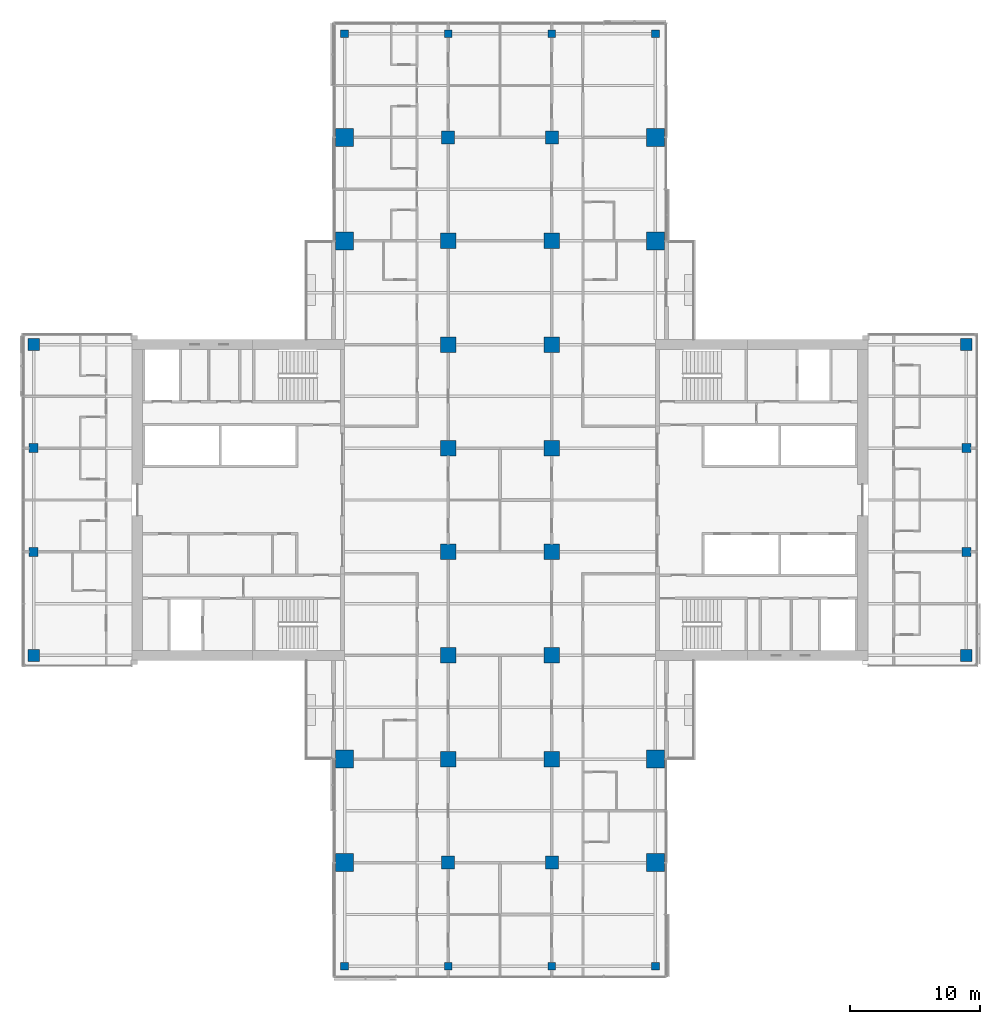
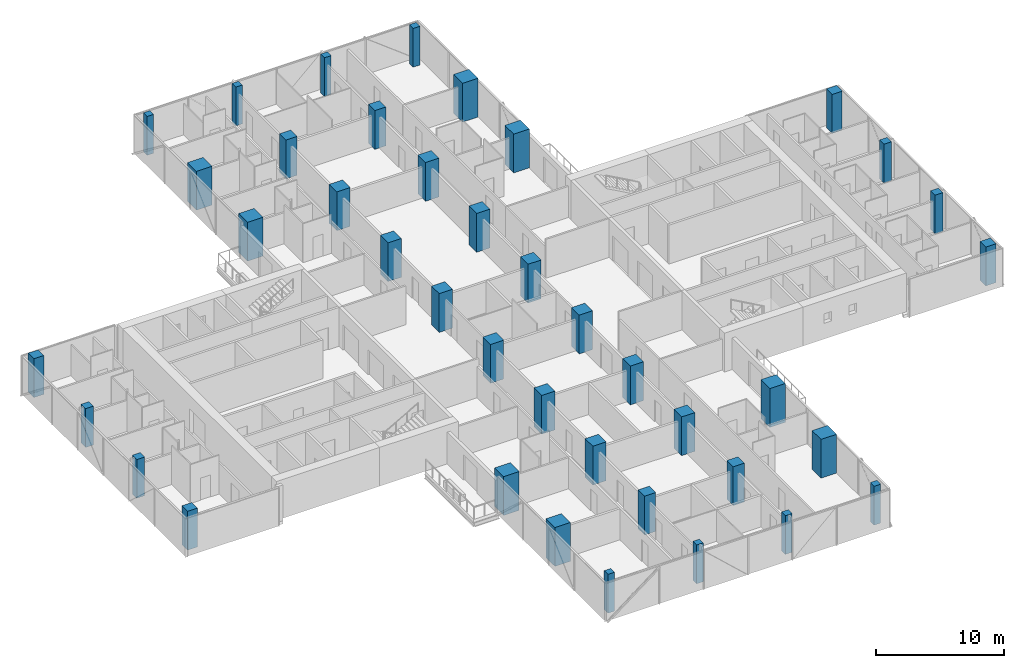
# One storey, part 1 of 27: 40 columns.
"""IFC4 building model written with IfcOpenShell, lengths in metres."""

import ifcopenshell
import ifcopenshell.guid

model = None  # the IFC model being written
_history = None  # IfcOwnerHistory: only IFC2X3 demands one
_inside = {}  # id of a spatial element -> (the spatial element, [elements in it])
_under = {}  # id of a project, library or spatial element -> (it, [spatial elements below it])
_declared = {}  # id of a project -> (the project, [libraries it declares])
_typed = {}  # id of a type object -> (the type object, [elements of that type])
_made_of = {}  # id of a material, layer set ... -> (it, [elements and type objects made of it])


def new_model(schema):
    """Start an empty IFC model of exactly this schema.

    Asked for "IFC4X3", IfcOpenShell would pick the latest addendum, in which some entities
    have other attributes; the version numbers below select the first issue.
    IFC2X3 requires an IfcOwnerHistory on every rooted entity: one is made here for all.
    """
    global model, _history
    if schema == "IFC4X3":
        model = ifcopenshell.file(schema_version=(4, 3, 0, 0))
    else:
        model = ifcopenshell.file(schema=schema)
    _inside.clear()
    _under.clear()
    _declared.clear()
    _typed.clear()
    _made_of.clear()
    _history = None
    if model.schema == "IFC2X3":
        org = make("IfcOrganization", Name="unknown")
        user = make(
            "IfcPersonAndOrganization",
            ThePerson=make("IfcPerson", FamilyName="unknown"),
            TheOrganization=org,
        )
        app = make(
            "IfcApplication",
            ApplicationDeveloper=org,
            Version="unknown",
            ApplicationFullName="unknown",
            ApplicationIdentifier="unknown",
        )
        _history = make(
            "IfcOwnerHistory",
            OwningUser=user,
            OwningApplication=app,
            ChangeAction="ADDED",
            CreationDate=0,
        )
    return model


def make(cls, **values):
    """One entity of the class cls with the attributes given. An attribute that is None is left unset."""
    return model.create_entity(
        cls, **{name: value for name, value in values.items() if value is not None}
    )


def rooted(cls, **values):
    """An entity with a GlobalId (a new one), such as an element, a storey or a relation."""
    return make(cls, GlobalId=ifcopenshell.guid.new(), OwnerHistory=_history, **values)


def si_unit(unit_type, name, prefix=None):
    """IfcSIUnit, for example si_unit("LENGTHUNIT", "METRE", prefix="MILLI")."""
    return make("IfcSIUnit", UnitType=unit_type, Prefix=prefix, Name=name)


def assignment(units):
    """IfcUnitAssignment: the units of a project."""
    return None if units is None else make("IfcUnitAssignment", Units=units)


def point(xyz):
    """IfcCartesianPoint."""
    return None if xyz is None else make("IfcCartesianPoint", Coordinates=xyz)


def direction(xyz):
    """IfcDirection."""
    return None if xyz is None else make("IfcDirection", DirectionRatios=xyz)


def frame(location, z_axis=None, x_axis=None):
    """IfcAxis2Placement3D, a coordinate frame: its origin and axes. An axis left out is left unset."""
    return make(
        "IfcAxis2Placement3D",
        Location=point(location),
        Axis=direction(z_axis),
        RefDirection=direction(x_axis),
    )


def frame_2d(location, x_axis=None):
    """IfcAxis2Placement2D, a coordinate frame in the plane: its origin and x axis."""
    return make(
        "IfcAxis2Placement2D", Location=point(location), RefDirection=direction(x_axis)
    )


def origin():
    """The frame at (0, 0, 0) with its axes left unset."""
    return frame((0.0, 0.0, 0.0))


def origin_2d():
    """The frame at (0, 0) in the plane with its x axis left unset."""
    return frame_2d((0.0, 0.0))


def place(relative_to, where):
    """IfcLocalPlacement: puts the frame where relative to a parent placement (None: the world)."""
    return make(
        "IfcLocalPlacement", PlacementRelTo=relative_to, RelativePlacement=where
    )


def context(
    kind, dimensions, precision=None, world=None, true_north=None, identifier=None
):
    """IfcGeometricRepresentationContext, for example the 3D "Model" context."""
    return make(
        "IfcGeometricRepresentationContext",
        ContextIdentifier=identifier,
        ContextType=kind,
        CoordinateSpaceDimension=dimensions,
        Precision=precision,
        WorldCoordinateSystem=world,
        TrueNorth=true_north,
    )


def subcontext(parent, identifier, kind, view, scale=None):
    """IfcGeometricRepresentationSubContext, for example "Body" below "Model"."""
    return make(
        "IfcGeometricRepresentationSubContext",
        ContextIdentifier=identifier,
        ContextType=kind,
        ParentContext=parent,
        TargetScale=scale,
        TargetView=view,
    )


def project(units=None, contexts=None):
    """IfcProject with its units and contexts."""
    return rooted(
        "IfcProject",
        Name="project",
        RepresentationContexts=contexts,
        UnitsInContext=assignment(units),
    )


def spatial(cls, under=None, at=None, **own):
    """A site, building, storey or space (cls), placed at a placement, below another one or the project."""
    s = rooted(cls, ObjectPlacement=at, **own)
    if under is not None:
        _under.setdefault(under.id(), (under, []))[1].append(s)
    return s


def profile(cls, at=None, kind="AREA", **sizes):
    """A parametric profile (cls). Its sizes go by their IFC names, for example OverallWidth=200.0."""
    return make(cls, ProfileType=kind, Position=at, **sizes)


def rectangle(**sizes):
    """IfcRectangleProfileDef."""
    return profile("IfcRectangleProfileDef", **sizes)


def extrude(swept, where, along, depth):
    """IfcExtrudedAreaSolid: the profile swept, set in the frame where, extruded along a direction by depth."""
    return make(
        "IfcExtrudedAreaSolid",
        SweptArea=swept,
        Position=where,
        ExtrudedDirection=direction(along),
        Depth=depth,
    )


def shape(context_of_items, identifier, shape_type, items):
    """IfcShapeRepresentation: the items that make up one representation, for example the "Body"."""
    return make(
        "IfcShapeRepresentation",
        ContextOfItems=context_of_items,
        RepresentationIdentifier=identifier,
        RepresentationType=shape_type,
        Items=items,
    )


def material(Name=None, Category=None):
    """IfcMaterial."""
    return make("IfcMaterial", Name=Name, Category=Category)


def material_profile(
    of_material, cross_section, Name=None, Category=None, Priority=None
):
    """IfcMaterialProfile: a cross section and its material."""
    return make(
        "IfcMaterialProfile",
        Name=Name,
        Material=of_material,
        Profile=cross_section,
        Priority=Priority,
        Category=Category,
    )


def profile_set(profiles, Name=None, composite=None):
    """IfcMaterialProfileSet."""
    return make(
        "IfcMaterialProfileSet",
        Name=Name,
        MaterialProfiles=profiles,
        CompositeProfile=composite,
    )


def made_of(thing, what):
    """Note that an element or type object is made of a material, layer set ...; save() writes the relation."""
    if what is not None:
        _made_of.setdefault(what.id(), (what, []))[1].append(thing)
    return thing


def type_object(cls, material=None, **own):
    """A type object (cls), such as IfcWallType, which elements share."""
    return made_of(rooted(cls, **own), material)


def element(
    cls,
    number,
    at=None,
    inside=None,
    cuts=None,
    type_object=None,
    material=None,
    context=None,
    identifier="Body",
    shape_type=None,
    held_by="IfcProductDefinitionShape",
    body=None,
    shapes=None,
    **own,
):
    """One element of the class cls, such as IfcWall. Its Tag is "e" and its number.

    at: its placement. inside: the storey or other place that contains it. cuts: it is an
    opening in that element (IfcRelVoidsElement). A single representation is given by context,
    identifier, shape_type and body (its items); several are given by shapes. held_by: the class
    of the entity that holds the representations. save() writes the other relations.
    """
    e = rooted(cls, Tag="e%d" % number, ObjectPlacement=at, **own)
    if body is not None:
        shapes = [shape(context, identifier, shape_type, body)]
    if shapes is not None:
        e.Representation = make(held_by, Representations=shapes)
    if inside is not None:
        _inside.setdefault(inside.id(), (inside, []))[1].append(e)
    if cuts is not None:
        rooted(
            "IfcRelVoidsElement", RelatingBuildingElement=cuts, RelatedOpeningElement=e
        )
    if type_object is not None:
        _typed.setdefault(type_object.id(), (type_object, []))[1].append(e)
    return made_of(e, material)


def aggregate(whole, parts):
    """IfcRelAggregates: a whole, such as a stair, and the parts it consists of."""
    return rooted("IfcRelAggregates", RelatingObject=whole, RelatedObjects=parts)


def save(model, path):
    """Write the relations noted so far, then the file.

    IfcRelAggregates (storeys below a building ...), IfcRelContainedInSpatialStructure (elements
    in a storey), IfcRelDefinesByType, IfcRelAssociatesMaterial and IfcRelDeclares: one each for
    every whole, place, type object, material and project.
    """
    for whole, parts in _under.values():
        aggregate(whole, parts)
    for where, things in _inside.values():
        rooted(
            "IfcRelContainedInSpatialStructure",
            RelatedElements=things,
            RelatingStructure=where,
        )
    for kind, things in _typed.values():
        rooted("IfcRelDefinesByType", RelatedObjects=things, RelatingType=kind)
    for what, things in _made_of.values():
        rooted("IfcRelAssociatesMaterial", RelatedObjects=things, RelatingMaterial=what)
    for by, libraries in _declared.values():
        rooted("IfcRelDeclares", RelatingContext=by, RelatedDefinitions=libraries)
    model.write(path)


model = new_model("IFC4")

# Units and contexts
model_context = context("Model", 3, precision=1e-05, world=origin(), true_north=direction((0.0, 1.0)))
body_context = subcontext(model_context, "Body", "Model", "MODEL_VIEW")
ifc_project = project(units=[si_unit("LENGTHUNIT", "METRE"), si_unit("AREAUNIT", "SQUARE_METRE"), si_unit("VOLUMEUNIT", "CUBIC_METRE"), si_unit("PLANEANGLEUNIT", "RADIAN"), si_unit("MASSUNIT", "GRAM", prefix="KILO")], contexts=[model_context])

# Site, building, storey
site_placement = place(None, origin())
site = spatial("IfcSite", under=ifc_project, at=site_placement, CompositionType="ELEMENT")
building_placement = place(site_placement, origin())
building = spatial("IfcBuilding", under=site, at=building_placement, Name="Crosswind Convention Tower", CompositionType="ELEMENT")
storey_placement = place(building_placement, frame((0.0, 0.0, 94.199951171875)))
storey = spatial("IfcBuildingStorey", under=building, at=storey_placement, Name="L18", CompositionType="ELEMENT", Elevation=94.199951171875)

# Columns
ifc_material_1 = material(Name="Concrete C70/85", Category="concrete")
ifc_material_profile_1 = material_profile(ifc_material_1, rectangle(XDim=1.0, YDim=1.0, at=origin_2d()), Name="RC 1000X1000")
ifc_profile_set_1 = profile_set([ifc_material_profile_1], Name="Concrete C70/85")
column_type_1 = type_object("IfcColumnType", Name="Column RC 1000X1000", PredefinedType="COLUMN", material=ifc_profile_set_1)
for number, where, z_axis, x_axis, name in (
    (1, (121.0, 72.0, 0.0), (0.0, 0.0, 1.0), (1.0, 0.0, 0.0), "C12 L18 6/C"),
    (2, (121.0, 128.0, 0.0), (0.0, 0.0, 1.0), (1.0, 0.0, 0.0), "C12 L18 6/J"),
    (3, (129.0, 72.0, 0.0), (0.0, 0.0, 1.0), (1.0, 0.0, 0.0), "C12 L18 7/C"),
    (4, (129.0, 128.0, 0.0), (0.0, 0.0, 1.0), (1.0, 0.0, 0.0), "C12 L18 7/J"),
):
    element("IfcColumn", number, at=place(storey_placement, frame(where, z_axis=z_axis, x_axis=x_axis)), inside=storey, type_object=column_type_1, Name=name, PredefinedType="COLUMN", context=body_context, shape_type="SweptSolid", body=[
        extrude(rectangle(XDim=1.0, YDim=1.0, at=origin_2d()), origin(), (0.0, 0.0, 1.0), 3.699951171875),
    ])
ifc_material_profile_2 = material_profile(ifc_material_1, rectangle(XDim=1.199951171875, YDim=1.199951171875, at=origin_2d()), Name="RC 1200X1200")
ifc_profile_set_2 = profile_set([ifc_material_profile_2], Name="Concrete C70/85")
column_type_2 = type_object("IfcColumnType", Name="Column RC 1200X1200", PredefinedType="COLUMN", material=ifc_profile_set_2)
for number, where, z_axis, x_axis, name in (
    (5, (121.0, 80.0, 0.0), (0.0, 0.0, 1.0), (1.0, 0.0, 0.0), "C11 L18 6/D"),
    (6, (121.0, 88.0, 0.0), (0.0, 0.0, 1.0), (1.0, 0.0, 0.0), "C11 L18 6/E"),
    (7, (121.0, 96.0, 0.0), (0.0, 0.0, 1.0), (1.0, 0.0, 0.0), "C11 L18 6/F"),
    (8, (121.0, 104.0, 0.0), (0.0, 0.0, 1.0), (1.0, 0.0, 0.0), "C11 L18 6/G"),
    (9, (121.0, 112.0, 0.0), (0.0, 0.0, 1.0), (1.0, 0.0, 0.0), "C11 L18 6/H"),
    (10, (121.0, 120.0, 0.0), (0.0, 0.0, 1.0), (1.0, 0.0, 0.0), "C11 L18 6/I"),
    (11, (129.0, 80.0, 0.0), (0.0, 0.0, 1.0), (1.0, 0.0, 0.0), "C11 L18 7/D"),
    (12, (129.0, 88.0, 0.0), (0.0, 0.0, 1.0), (1.0, 0.0, 0.0), "C11 L18 7/E"),
    (13, (129.0, 96.0, 0.0), (0.0, 0.0, 1.0), (1.0, 0.0, 0.0), "C11 L18 7/F"),
    (14, (129.0, 104.0, 0.0), (0.0, 0.0, 1.0), (1.0, 0.0, 0.0), "C11 L18 7/G"),
    (15, (129.0, 112.0, 0.0), (0.0, 0.0, 1.0), (1.0, 0.0, 0.0), "C11 L18 7/H"),
    (16, (129.0, 120.0, 0.0), (0.0, 0.0, 1.0), (1.0, 0.0, 0.0), "C11 L18 7/I"),
):
    element("IfcColumn", number, at=place(storey_placement, frame(where, z_axis=z_axis, x_axis=x_axis)), inside=storey, type_object=column_type_2, Name=name, PredefinedType="COLUMN", context=body_context, shape_type="SweptSolid", body=[
        extrude(rectangle(XDim=1.199951171875, YDim=1.199951171875, at=origin_2d()), origin(), (0.0, 0.0, 1.0), 3.699951171875),
    ])
ifc_material_2 = material(Name="Concrete C80/95", Category="concrete")
ifc_material_profile_3 = material_profile(ifc_material_2, rectangle(XDim=1.39990234375, YDim=1.39990234375, at=origin_2d()), Name="RC 1400X1400")
ifc_profile_set_3 = profile_set([ifc_material_profile_3], Name="Concrete C80/95")
column_type_3 = type_object("IfcColumnType", Name="Column RC 1400X1400", PredefinedType="COLUMN", material=ifc_profile_set_3)
for number, where, z_axis, x_axis, name in (
    (17, (113.0, 72.0, 0.0), (0.0, 0.0, 1.0), (1.0, 0.0, 0.0), "C10 L18 5/C"),
    (18, (113.0, 80.0, 0.0), (0.0, 0.0, 1.0), (1.0, 0.0, 0.0), "C10 L18 5/D"),
    (19, (113.0, 120.0, 0.0), (0.0, 0.0, 1.0), (1.0, 0.0, 0.0), "C10 L18 5/I"),
    (20, (113.0, 128.0, 0.0), (0.0, 0.0, 1.0), (1.0, 0.0, 0.0), "C10 L18 5/J"),
    (21, (137.0, 72.0, 0.0), (0.0, 0.0, 1.0), (1.0, 0.0, 0.0), "C10 L18 8/C"),
    (22, (137.0, 80.0, 0.0), (0.0, 0.0, 1.0), (1.0, 0.0, 0.0), "C10 L18 8/D"),
    (23, (137.0, 120.0, 0.0), (0.0, 0.0, 1.0), (1.0, 0.0, 0.0), "C10 L18 8/I"),
    (24, (137.0, 128.0, 0.0), (0.0, 0.0, 1.0), (1.0, 0.0, 0.0), "C10 L18 8/J"),
):
    element("IfcColumn", number, at=place(storey_placement, frame(where, z_axis=z_axis, x_axis=x_axis)), inside=storey, type_object=column_type_3, Name=name, PredefinedType="COLUMN", context=body_context, shape_type="SweptSolid", body=[
        extrude(rectangle(XDim=1.39990234375, YDim=1.39990234375, at=origin_2d()), origin(), (0.0, 0.0, 1.0), 3.699951171875),
    ])
ifc_material_3 = material(Name="Concrete C60/75", Category="concrete")
ifc_material_profile_4 = material_profile(ifc_material_3, rectangle(XDim=0.60009765625, YDim=0.60009765625, at=origin_2d()), Name="RC 600X600")
ifc_profile_set_4 = profile_set([ifc_material_profile_4], Name="Concrete C60/75")
column_type_4 = type_object("IfcColumnType", Name="Column RC 600X600", PredefinedType="COLUMN", material=ifc_profile_set_4)
for number, where, z_axis, x_axis, name in (
    (25, (113.0, 64.0, 0.0), (0.0, 0.0, 1.0), (1.0, 0.0, 0.0), "C16 L18 5/B"),
    (26, (113.0, 136.0, 0.0), (0.0, 0.0, 1.0), (1.0, 0.0, 0.0), "C16 L18 5/K"),
    (27, (121.0, 64.0, 0.0), (0.0, 0.0, 1.0), (1.0, 0.0, 0.0), "C16 L18 6/B"),
    (28, (121.0, 136.0, 0.0), (0.0, 0.0, 1.0), (1.0, 0.0, 0.0), "C16 L18 6/K"),
    (29, (129.0, 64.0, 0.0), (0.0, 0.0, 1.0), (1.0, 0.0, 0.0), "C16 L18 7/B"),
    (30, (129.0, 136.0, 0.0), (0.0, 0.0, 1.0), (1.0, 0.0, 0.0), "C16 L18 7/K"),
    (31, (137.0, 64.0, 0.0), (0.0, 0.0, 1.0), (1.0, 0.0, 0.0), "C16 L18 8/B"),
    (32, (137.0, 136.0, 0.0), (0.0, 0.0, 1.0), (1.0, 0.0, 0.0), "C16 L18 8/K"),
):
    element("IfcColumn", number, at=place(storey_placement, frame(where, z_axis=z_axis, x_axis=x_axis)), inside=storey, type_object=column_type_4, Name=name, PredefinedType="COLUMN", context=body_context, shape_type="SweptSolid", body=[
        extrude(rectangle(XDim=0.60009765625, YDim=0.60009765625, at=origin_2d()), origin(), (0.0, 0.0, 1.0), 3.699951171875),
    ])
ifc_material_profile_5 = material_profile(ifc_material_3, rectangle(XDim=0.699951171875, YDim=0.699951171875, at=origin_2d()), Name="RC 700X700")
ifc_profile_set_5 = profile_set([ifc_material_profile_5], Name="Concrete C60/75")
column_type_5 = type_object("IfcColumnType", Name="Column RC 700X700", PredefinedType="COLUMN", material=ifc_profile_set_5)
for number, where, z_axis, x_axis, name in (
    (33, (89.0, 96.0, 0.0), (0.0, 0.0, 1.0), (1.0, 0.0, 0.0), "C15 L18 2/F"),
    (34, (89.0, 104.0, 0.0), (0.0, 0.0, 1.0), (1.0, 0.0, 0.0), "C15 L18 2/G"),
    (35, (161.0, 96.0, 0.0), (0.0, 0.0, 1.0), (1.0, 0.0, 0.0), "C15 L18 11/F"),
    (36, (161.0, 104.0, 0.0), (0.0, 0.0, 1.0), (1.0, 0.0, 0.0), "C15 L18 11/G"),
):
    element("IfcColumn", number, at=place(storey_placement, frame(where, z_axis=z_axis, x_axis=x_axis)), inside=storey, type_object=column_type_5, Name=name, PredefinedType="COLUMN", context=body_context, shape_type="SweptSolid", body=[
        extrude(rectangle(XDim=0.699951171875, YDim=0.699951171875, at=origin_2d()), origin(), (0.0, 0.0, 1.0), 3.699951171875),
    ])
ifc_material_profile_6 = material_profile(ifc_material_3, rectangle(XDim=0.89990234375, YDim=0.89990234375, at=origin_2d()), Name="RC 900X900")
ifc_profile_set_6 = profile_set([ifc_material_profile_6], Name="Concrete C60/75")
column_type_6 = type_object("IfcColumnType", Name="Column RC 900X900", PredefinedType="COLUMN", material=ifc_profile_set_6)
for number, where, z_axis, x_axis, name in (
    (37, (89.0, 88.0, 0.0), (0.0, 0.0, 1.0), (1.0, 0.0, 0.0), "C13 L18 2/E"),
    (38, (89.0, 112.0, 0.0), (0.0, 0.0, 1.0), (1.0, 0.0, 0.0), "C13 L18 2/H"),
    (39, (161.0, 88.0, 0.0), (0.0, 0.0, 1.0), (1.0, 0.0, 0.0), "C13 L18 11/E"),
    (40, (161.0, 112.0, 0.0), (0.0, 0.0, 1.0), (1.0, 0.0, 0.0), "C13 L18 11/H"),
):
    element("IfcColumn", number, at=place(storey_placement, frame(where, z_axis=z_axis, x_axis=x_axis)), inside=storey, type_object=column_type_6, Name=name, PredefinedType="COLUMN", context=body_context, shape_type="SweptSolid", body=[
        extrude(rectangle(XDim=0.89990234375, YDim=0.89990234375, at=origin_2d()), origin(), (0.0, 0.0, 1.0), 3.699951171875),
    ])

save(model, "model.ifc")
